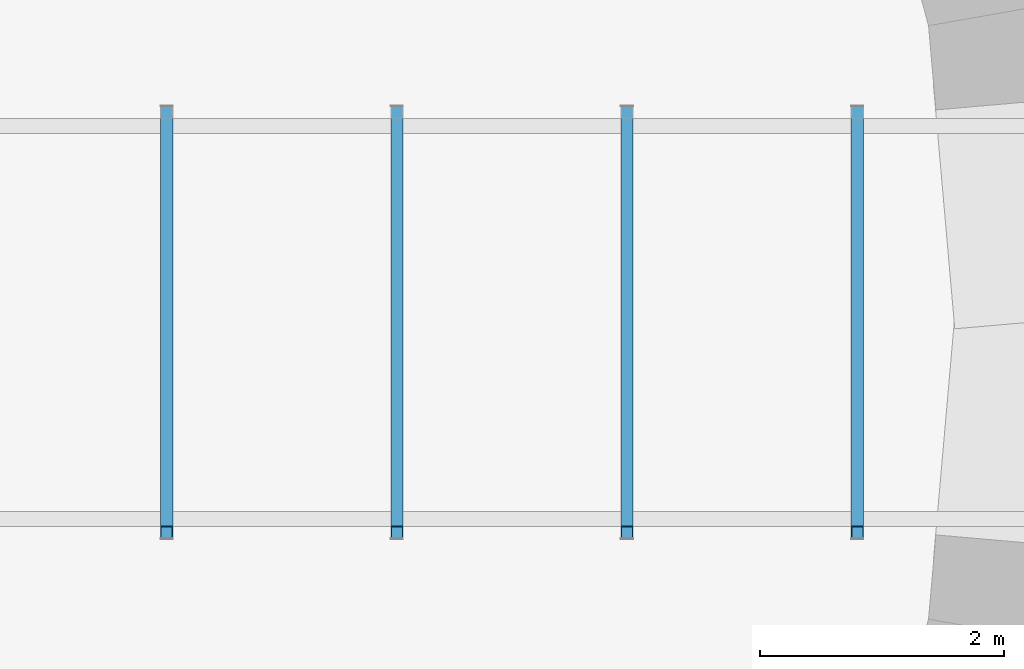
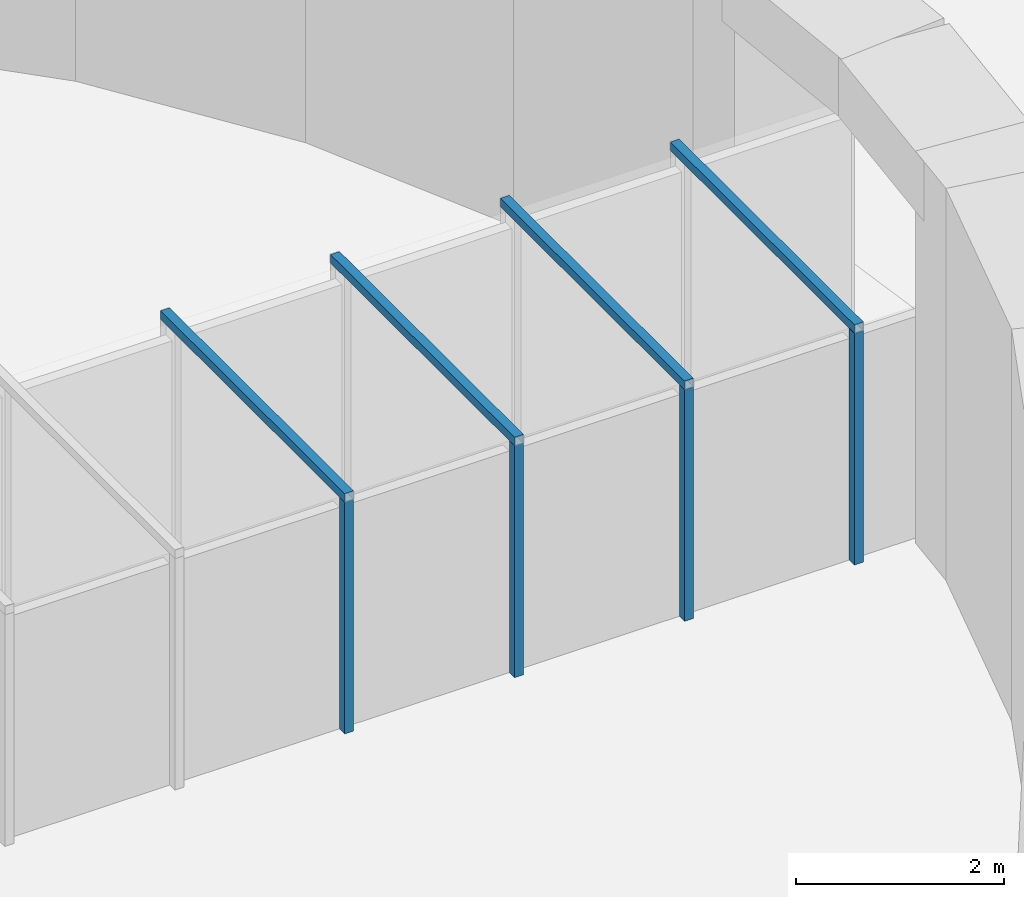
# One storey, part 14 of 85: 8 members, 1 element without a shape of its own.
"""IFC4 building model written with IfcOpenShell, lengths in metres."""

from ifc_helpers import new_model, si_unit, direction, frame, origin, origin_2d, place, context, subcontext, project, spatial, hollow_rectangle, extrude, material, material_profile, profile_set, type_object, element, aggregate, save


model = new_model("IFC4")

# Units and contexts
model_context = context("Model", 3, precision=1e-05, world=origin(), true_north=direction((0.0, 1.0)))
body_context = subcontext(model_context, "Body", "Model", "MODEL_VIEW")
ifc_project = project(units=[si_unit("LENGTHUNIT", "METRE"), si_unit("AREAUNIT", "SQUARE_METRE"), si_unit("VOLUMEUNIT", "CUBIC_METRE"), si_unit("PLANEANGLEUNIT", "RADIAN"), si_unit("MASSUNIT", "GRAM", prefix="KILO")], contexts=[model_context])

# Site, building, storey
site_placement = place(None, origin())
site = spatial("IfcSite", under=ifc_project, at=site_placement, CompositionType="ELEMENT")
building_placement = place(site_placement, origin())
building = spatial("IfcBuilding", under=site, at=building_placement, Name="Volute Hill Aquarium", CompositionType="ELEMENT")
storey_placement = place(building_placement, origin())
storey = spatial("IfcBuildingStorey", under=building, at=storey_placement, Name="L01", CompositionType="ELEMENT", Elevation=0.0)

# Curtain wall, members
ifc_material_1 = material(Name="Acrylic PMMA")
curtain_wall_type = type_object("IfcCurtainWallType", Name="Viewing tunnel acrylic assembly", PredefinedType="NOTDEFINED", material=ifc_material_1)
curtain_wall_placement = place(storey_placement, origin())
curtain_wall = element("IfcCurtainWall", 1, at=curtain_wall_placement, inside=storey, type_object=curtain_wall_type, Name="Viewing tunnel acrylic assembly", PredefinedType="NOTDEFINED")
ifc_material_2 = material(Name="Steel S355", Category="steel")
ifc_material_profile = material_profile(ifc_material_2, hollow_rectangle(XDim=0.10009765625, YDim=0.10009765625, WallThickness=0.0048828125, at=origin_2d()), Name="RHS 100x100x5")
ifc_profile_set = profile_set([ifc_material_profile], Name="Steel S355")
member_type = type_object("IfcMemberType", Name="Tunnel ring frame post RHS 100x100x5 S355", PredefinedType="USERDEFINED", material=ifc_profile_set)
member_1_placement = place(storey_placement, frame((7.544921875, -1.719970703125, 0.0), z_axis=(0.0, 0.0, 1.0), x_axis=(1.0, 0.0, 0.0)))
member_1 = element("IfcMember", 2, at=member_1_placement, type_object=member_type, Name="Tunnel ring frame post 13", ObjectType="Tunnel frame", PredefinedType="USERDEFINED", context=body_context, shape_type="SweptSolid", body=[
    extrude(hollow_rectangle(XDim=0.10009765625, YDim=0.10009765625, WallThickness=0.0048828125, at=origin_2d()), origin(), (0.0, 0.0, 1.0), 2.719970703125),
])
member_2_placement = place(storey_placement, frame((7.544921875, -1.77001953125, 2.77001953125), z_axis=(0.0, 1.0, 0.0), x_axis=(-1.0, 0.0, 0.0)))
member_2 = element("IfcMember", 3, at=member_2_placement, type_object=member_type, Name="Tunnel ring frame head 13", ObjectType="Tunnel frame", PredefinedType="USERDEFINED", context=body_context, shape_type="SweptSolid", body=[
    extrude(hollow_rectangle(XDim=0.10009765625, YDim=0.10009765625, WallThickness=0.0048828125, at=origin_2d()), origin(), (0.0, 0.0, 1.0), 3.5400390625),
])
member_3_placement = place(storey_placement, frame((9.43115234375, -1.719970703125, 0.0), z_axis=(0.0, 0.0, 1.0), x_axis=(1.0, 0.0, 0.0)))
member_3 = element("IfcMember", 4, at=member_3_placement, type_object=member_type, Name="Tunnel ring frame post 14", ObjectType="Tunnel frame", PredefinedType="USERDEFINED", context=body_context, shape_type="SweptSolid", body=[
    extrude(hollow_rectangle(XDim=0.10009765625, YDim=0.10009765625, WallThickness=0.0048828125, at=origin_2d()), origin(), (0.0, 0.0, 1.0), 2.719970703125),
])
member_4_placement = place(storey_placement, frame((9.43115234375, -1.77001953125, 2.77001953125), z_axis=(0.0, 1.0, 0.0), x_axis=(-1.0, 0.0, 0.0)))
member_4 = element("IfcMember", 5, at=member_4_placement, type_object=member_type, Name="Tunnel ring frame head 14", ObjectType="Tunnel frame", PredefinedType="USERDEFINED", context=body_context, shape_type="SweptSolid", body=[
    extrude(hollow_rectangle(XDim=0.10009765625, YDim=0.10009765625, WallThickness=0.0048828125, at=origin_2d()), origin(), (0.0, 0.0, 1.0), 3.5400390625),
])
member_5_placement = place(storey_placement, frame((11.3173828125, -1.719970703125, 0.0), z_axis=(0.0, 0.0, 1.0), x_axis=(1.0, 0.0, 0.0)))
member_5 = element("IfcMember", 6, at=member_5_placement, type_object=member_type, Name="Tunnel ring frame post 15", ObjectType="Tunnel frame", PredefinedType="USERDEFINED", context=body_context, shape_type="SweptSolid", body=[
    extrude(hollow_rectangle(XDim=0.10009765625, YDim=0.10009765625, WallThickness=0.0048828125, at=origin_2d()), origin(), (0.0, 0.0, 1.0), 2.719970703125),
])
member_6_placement = place(storey_placement, frame((11.3173828125, -1.77001953125, 2.77001953125), z_axis=(0.0, 1.0, 0.0), x_axis=(-1.0, 0.0, 0.0)))
member_6 = element("IfcMember", 7, at=member_6_placement, type_object=member_type, Name="Tunnel ring frame head 15", ObjectType="Tunnel frame", PredefinedType="USERDEFINED", context=body_context, shape_type="SweptSolid", body=[
    extrude(hollow_rectangle(XDim=0.10009765625, YDim=0.10009765625, WallThickness=0.0048828125, at=origin_2d()), origin(), (0.0, 0.0, 1.0), 3.5400390625),
])
member_7_placement = place(storey_placement, frame((13.203857421875, -1.719970703125, 0.0), z_axis=(0.0, 0.0, 1.0), x_axis=(1.0, 0.0, 0.0)))
member_7 = element("IfcMember", 8, at=member_7_placement, type_object=member_type, Name="Tunnel ring frame post 16", ObjectType="Tunnel frame", PredefinedType="USERDEFINED", context=body_context, shape_type="SweptSolid", body=[
    extrude(hollow_rectangle(XDim=0.10009765625, YDim=0.10009765625, WallThickness=0.0048828125, at=origin_2d()), origin(), (0.0, 0.0, 1.0), 2.719970703125),
])
member_8_placement = place(storey_placement, frame((13.203857421875, -1.77001953125, 2.77001953125), z_axis=(0.0, 1.0, 0.0), x_axis=(-1.0, 0.0, 0.0)))
member_8 = element("IfcMember", 9, at=member_8_placement, type_object=member_type, Name="Tunnel ring frame head 16", ObjectType="Tunnel frame", PredefinedType="USERDEFINED", context=body_context, shape_type="SweptSolid", body=[
    extrude(hollow_rectangle(XDim=0.10009765625, YDim=0.10009765625, WallThickness=0.0048828125, at=origin_2d()), origin(), (0.0, 0.0, 1.0), 3.5400390625),
])
aggregate(curtain_wall, [member_1, member_2, member_3, member_4, member_5, member_6, member_7, member_8])

save(model, "model.ifc")
